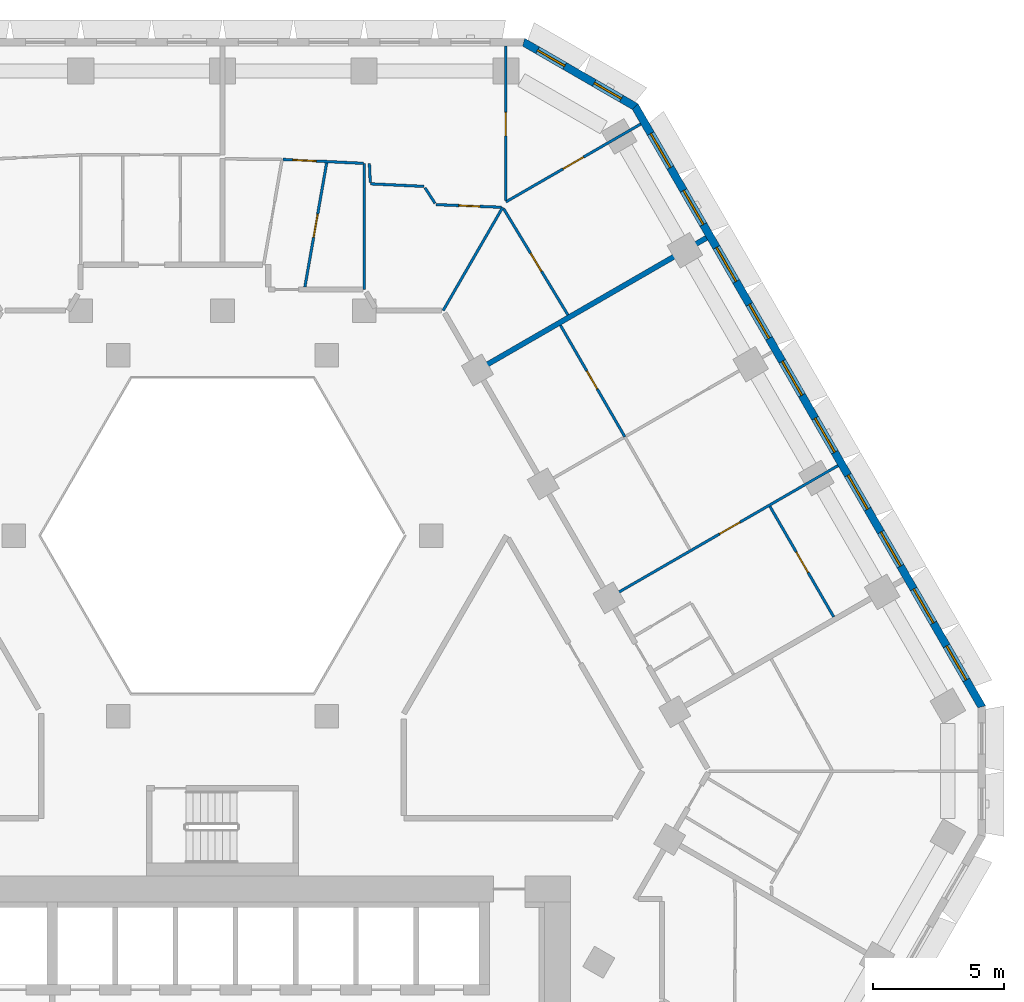
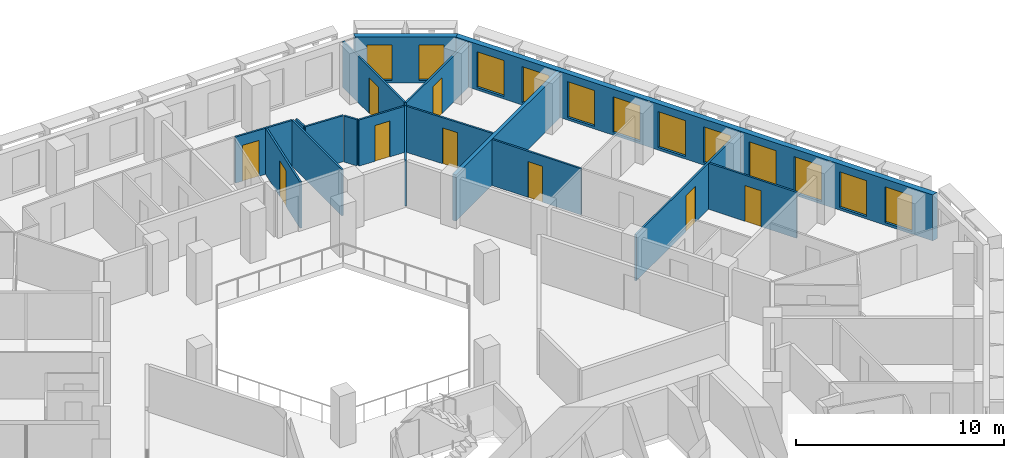
# One storey, part 10 of 18: 17 walls, 12 windows, 9 doors, 21 openings.
"""IFC4 building model written with IfcOpenShell, lengths in metres."""

from ifc_helpers import new_model, si_unit, direction, frame, frame_2d, origin, place, context, subcontext, project, spatial, polyline, rectangle, outline, extrude, material, layer, layer_set, type_object, element, fill, save


model = new_model("IFC4")

# Units and contexts
model_context = context("Model", 3, precision=1e-05, world=origin(), true_north=direction((0.0, 1.0)))
body_context = subcontext(model_context, "Body", "Model", "MODEL_VIEW")
ifc_project = project(units=[si_unit("LENGTHUNIT", "METRE"), si_unit("AREAUNIT", "SQUARE_METRE"), si_unit("VOLUMEUNIT", "CUBIC_METRE"), si_unit("PLANEANGLEUNIT", "RADIAN"), si_unit("MASSUNIT", "GRAM", prefix="KILO")], contexts=[model_context])

# Site, building, storey
site_placement = place(None, origin())
site = spatial("IfcSite", under=ifc_project, at=site_placement, CompositionType="ELEMENT")
building_placement = place(site_placement, origin())
building = spatial("IfcBuilding", under=site, at=building_placement, Name="Beryl Residences", CompositionType="ELEMENT")
storey_placement = place(building_placement, frame((0.0, 0.0, 75.0)))
storey = spatial("IfcBuildingStorey", under=building, at=storey_placement, Name="L22", CompositionType="ELEMENT", Elevation=75.0)

# Wall, openings, windows
ifc_material_1 = material(Name="Composite metal panel with mineral wool insulation")
ifc_layer_1 = layer(ifc_material_1, 0.300048828125)
ifc_layer_set_1 = layer_set([ifc_layer_1], Name="ES1 pale metal composite panel wall 300 mm")
wall_type_1 = type_object("IfcWallType", Name="ES1 pale metal composite panel wall 300 mm", PredefinedType="SOLIDWALL", material=ifc_layer_set_1)
wall_1_placement = place(storey_placement, frame((29.027099609375, 1.425048828125, 0.0), z_axis=(0.0, 0.0, 1.0), x_axis=(-0.500027479704, 0.866009537788, 0.0)))
wall_1 = element("IfcWall", 1, at=wall_1_placement, inside=storey, type_object=wall_type_1, Name="ES1 external wall L22 NE", PredefinedType="SOLIDWALL", context=body_context, shape_type="SweptSolid", body=[
    extrude(outline(polyline([(0.0, -0.14990234375), (26.55859375, -0.14990234375), (26.478271484375, 0.14990234375), (0.080322265625, 0.14990234375), (0.0, -0.14990234375)])), origin(), (0.0, 0.0, 1.0), 2.699951171875),
])
opening_1_placement = place(wall_1_placement, frame((1.22705078125, 0.0, 0.14990234375)))
opening_1 = element("IfcOpeningElement", 2, at=opening_1_placement, cuts=wall_1, Name="Opening W1", PredefinedType="OPENING", context=body_context, shape_type="SweptSolid", body=[
    extrude(rectangle(XDim=1.5, YDim=2.10009765625, at=frame_2d((0.75, 1.050048828125))), frame((0.0, 0.159912109375, 0.0), z_axis=(0.0, -1.0, 0.0), x_axis=(1.0, 0.0, 0.0)), (0.0, 0.0, 1.0), 0.320068359375),
])
opening_2_placement = place(wall_1_placement, frame((3.738037109375, 0.0, 0.14990234375)))
opening_2 = element("IfcOpeningElement", 3, at=opening_2_placement, cuts=wall_1, Name="Opening W1", PredefinedType="OPENING", context=body_context, shape_type="SweptSolid", body=[
    extrude(rectangle(XDim=1.5, YDim=2.10009765625, at=frame_2d((0.75, 1.050048828125))), frame((0.0, 0.159912109375, 0.0), z_axis=(0.0, -1.0, 0.0), x_axis=(1.0, 0.0, 0.0)), (0.0, 0.0, 1.0), 0.320068359375),
])
opening_3_placement = place(wall_1_placement, frame((6.25, 0.0, 0.14990234375)))
opening_3 = element("IfcOpeningElement", 4, at=opening_3_placement, cuts=wall_1, Name="Opening W1", PredefinedType="OPENING", context=body_context, shape_type="SweptSolid", body=[
    extrude(rectangle(XDim=1.5, YDim=2.10009765625, at=frame_2d((0.75, 1.050048828125))), frame((0.0, 0.159912109375, 0.0), z_axis=(0.0, -1.0, 0.0), x_axis=(1.0, 0.0, 0.0)), (0.0, 0.0, 1.0), 0.320068359375),
])
opening_4_placement = place(wall_1_placement, frame((8.760986328125, 0.0, 0.14990234375)))
opening_4 = element("IfcOpeningElement", 5, at=opening_4_placement, cuts=wall_1, Name="Opening W1", PredefinedType="OPENING", context=body_context, shape_type="SweptSolid", body=[
    extrude(rectangle(XDim=1.5, YDim=2.10009765625, at=frame_2d((0.75, 1.050048828125))), frame((0.0, 0.159912109375, 0.0), z_axis=(0.0, -1.0, 0.0), x_axis=(1.0, 0.0, 0.0)), (0.0, 0.0, 1.0), 0.320068359375),
])
opening_5_placement = place(wall_1_placement, frame((11.27294921875, 0.0, 0.14990234375)))
opening_5 = element("IfcOpeningElement", 6, at=opening_5_placement, cuts=wall_1, Name="Opening W1", PredefinedType="OPENING", context=body_context, shape_type="SweptSolid", body=[
    extrude(rectangle(XDim=1.5, YDim=2.10009765625, at=frame_2d((0.75, 1.050048828125))), frame((0.0, 0.159912109375, 0.0), z_axis=(0.0, -1.0, 0.0), x_axis=(1.0, 0.0, 0.0)), (0.0, 0.0, 1.0), 0.320068359375),
])
opening_6_placement = place(wall_1_placement, frame((13.784912109375, 0.0, 0.14990234375)))
opening_6 = element("IfcOpeningElement", 7, at=opening_6_placement, cuts=wall_1, Name="Opening W1", PredefinedType="OPENING", context=body_context, shape_type="SweptSolid", body=[
    extrude(rectangle(XDim=1.5, YDim=2.10009765625, at=frame_2d((0.75, 1.050048828125))), frame((0.0, 0.159912109375, 0.0), z_axis=(0.0, -1.0, 0.0), x_axis=(1.0, 0.0, 0.0)), (0.0, 0.0, 1.0), 0.320068359375),
])
opening_7_placement = place(wall_1_placement, frame((16.2958984375, 0.0, 0.14990234375)))
opening_7 = element("IfcOpeningElement", 8, at=opening_7_placement, cuts=wall_1, Name="Opening W1", PredefinedType="OPENING", context=body_context, shape_type="SweptSolid", body=[
    extrude(rectangle(XDim=1.5, YDim=2.10009765625, at=frame_2d((0.75, 1.050048828125))), frame((0.0, 0.159912109375, 0.0), z_axis=(0.0, -1.0, 0.0), x_axis=(1.0, 0.0, 0.0)), (0.0, 0.0, 1.0), 0.320068359375),
])
opening_8_placement = place(wall_1_placement, frame((18.806884765625, 0.0, 0.14990234375)))
opening_8 = element("IfcOpeningElement", 9, at=opening_8_placement, cuts=wall_1, Name="Opening W1", PredefinedType="OPENING", context=body_context, shape_type="SweptSolid", body=[
    extrude(rectangle(XDim=1.5, YDim=2.10009765625, at=frame_2d((0.75, 1.050048828125))), frame((0.0, 0.159912109375, 0.0), z_axis=(0.0, -1.0, 0.0), x_axis=(1.0, 0.0, 0.0)), (0.0, 0.0, 1.0), 0.320068359375),
])
opening_9_placement = place(wall_1_placement, frame((21.319091796875, 0.0, 0.14990234375)))
opening_9 = element("IfcOpeningElement", 10, at=opening_9_placement, cuts=wall_1, Name="Opening W1", PredefinedType="OPENING", context=body_context, shape_type="SweptSolid", body=[
    extrude(rectangle(XDim=1.5, YDim=2.10009765625, at=frame_2d((0.75, 1.050048828125))), frame((0.0, 0.159912109375, 0.0), z_axis=(0.0, -1.0, 0.0), x_axis=(1.0, 0.0, 0.0)), (0.0, 0.0, 1.0), 0.320068359375),
])
opening_10_placement = place(wall_1_placement, frame((23.8310546875, 0.0, 0.14990234375)))
opening_10 = element("IfcOpeningElement", 11, at=opening_10_placement, cuts=wall_1, Name="Opening W1", PredefinedType="OPENING", context=body_context, shape_type="SweptSolid", body=[
    extrude(rectangle(XDim=1.5, YDim=2.10009765625, at=frame_2d((0.75, 1.050048828125))), frame((0.0, 0.159912109375, 0.0), z_axis=(0.0, -1.0, 0.0), x_axis=(1.0, 0.0, 0.0)), (0.0, 0.0, 1.0), 0.320068359375),
])
ifc_material_2 = material(Name="Aluminium and clear glass", Category="aluminium")
window_type_1 = type_object("IfcWindowType", Name="W1 cell window 1500 x 2100 mm", PartitioningType="SINGLE_PANEL", PredefinedType="WINDOW", material=ifc_material_2)
window_1_placement = place(opening_1_placement, origin())
window_1 = element("IfcWindow", 12, at=window_1_placement, inside=storey, type_object=window_type_1, Name="W1 window L22 NE 1", OverallHeight=2.10009765625, OverallWidth=1.5, PartitioningType="SINGLE_PANEL", PredefinedType="WINDOW", context=body_context, shape_type="SweptSolid", body=[
    extrude(rectangle(XDim=1.5, YDim=2.10009765625, at=frame_2d((0.75, 1.050048828125))), frame((0.0, 0.030029296875, 0.0), z_axis=(0.0, -1.0, 0.0), x_axis=(1.0, 0.0, 0.0)), (0.0, 0.0, 1.0), 0.06005859375),
])
fill(opening_1, window_1)
window_2_placement = place(opening_2_placement, origin())
window_2 = element("IfcWindow", 13, at=window_2_placement, inside=storey, type_object=window_type_1, Name="W1 window L22 NE 2", OverallHeight=2.10009765625, OverallWidth=1.5, PartitioningType="SINGLE_PANEL", PredefinedType="WINDOW", context=body_context, shape_type="SweptSolid", body=[
    extrude(rectangle(XDim=1.5, YDim=2.10009765625, at=frame_2d((0.75, 1.050048828125))), frame((0.0, 0.030029296875, 0.0), z_axis=(0.0, -1.0, 0.0), x_axis=(1.0, 0.0, 0.0)), (0.0, 0.0, 1.0), 0.06005859375),
])
fill(opening_2, window_2)
window_3_placement = place(opening_3_placement, origin())
window_3 = element("IfcWindow", 14, at=window_3_placement, inside=storey, type_object=window_type_1, Name="W1 window L22 NE 3", OverallHeight=2.10009765625, OverallWidth=1.5, PartitioningType="SINGLE_PANEL", PredefinedType="WINDOW", context=body_context, shape_type="SweptSolid", body=[
    extrude(rectangle(XDim=1.5, YDim=2.10009765625, at=frame_2d((0.75, 1.050048828125))), frame((0.0, 0.030029296875, 0.0), z_axis=(0.0, -1.0, 0.0), x_axis=(1.0, 0.0, 0.0)), (0.0, 0.0, 1.0), 0.06005859375),
])
fill(opening_3, window_3)
window_4_placement = place(opening_4_placement, origin())
window_4 = element("IfcWindow", 15, at=window_4_placement, inside=storey, type_object=window_type_1, Name="W1 window L22 NE 4", OverallHeight=2.10009765625, OverallWidth=1.5, PartitioningType="SINGLE_PANEL", PredefinedType="WINDOW", context=body_context, shape_type="SweptSolid", body=[
    extrude(rectangle(XDim=1.5, YDim=2.10009765625, at=frame_2d((0.75, 1.050048828125))), frame((0.0, 0.030029296875, 0.0), z_axis=(0.0, -1.0, 0.0), x_axis=(1.0, 0.0, 0.0)), (0.0, 0.0, 1.0), 0.06005859375),
])
fill(opening_4, window_4)
window_5_placement = place(opening_5_placement, origin())
window_5 = element("IfcWindow", 16, at=window_5_placement, inside=storey, type_object=window_type_1, Name="W1 window L22 NE 5", OverallHeight=2.10009765625, OverallWidth=1.5, PartitioningType="SINGLE_PANEL", PredefinedType="WINDOW", context=body_context, shape_type="SweptSolid", body=[
    extrude(rectangle(XDim=1.5, YDim=2.10009765625, at=frame_2d((0.75, 1.050048828125))), frame((0.0, 0.030029296875, 0.0), z_axis=(0.0, -1.0, 0.0), x_axis=(1.0, 0.0, 0.0)), (0.0, 0.0, 1.0), 0.06005859375),
])
fill(opening_5, window_5)
window_6_placement = place(opening_6_placement, origin())
window_6 = element("IfcWindow", 17, at=window_6_placement, inside=storey, type_object=window_type_1, Name="W1 window L22 NE 6", OverallHeight=2.10009765625, OverallWidth=1.5, PartitioningType="SINGLE_PANEL", PredefinedType="WINDOW", context=body_context, shape_type="SweptSolid", body=[
    extrude(rectangle(XDim=1.5, YDim=2.10009765625, at=frame_2d((0.75, 1.050048828125))), frame((0.0, 0.030029296875, 0.0), z_axis=(0.0, -1.0, 0.0), x_axis=(1.0, 0.0, 0.0)), (0.0, 0.0, 1.0), 0.06005859375),
])
fill(opening_6, window_6)
window_7_placement = place(opening_7_placement, origin())
window_7 = element("IfcWindow", 18, at=window_7_placement, inside=storey, type_object=window_type_1, Name="W1 window L22 NE 7", OverallHeight=2.10009765625, OverallWidth=1.5, PartitioningType="SINGLE_PANEL", PredefinedType="WINDOW", context=body_context, shape_type="SweptSolid", body=[
    extrude(rectangle(XDim=1.5, YDim=2.10009765625, at=frame_2d((0.75, 1.050048828125))), frame((0.0, 0.030029296875, 0.0), z_axis=(0.0, -1.0, 0.0), x_axis=(1.0, 0.0, 0.0)), (0.0, 0.0, 1.0), 0.06005859375),
])
fill(opening_7, window_7)
window_8_placement = place(opening_8_placement, origin())
window_8 = element("IfcWindow", 19, at=window_8_placement, inside=storey, type_object=window_type_1, Name="W1 window L22 NE 8", OverallHeight=2.10009765625, OverallWidth=1.5, PartitioningType="SINGLE_PANEL", PredefinedType="WINDOW", context=body_context, shape_type="SweptSolid", body=[
    extrude(rectangle(XDim=1.5, YDim=2.10009765625, at=frame_2d((0.75, 1.050048828125))), frame((0.0, 0.030029296875, 0.0), z_axis=(0.0, -1.0, 0.0), x_axis=(1.0, 0.0, 0.0)), (0.0, 0.0, 1.0), 0.06005859375),
])
fill(opening_8, window_8)
window_9_placement = place(opening_9_placement, origin())
window_9 = element("IfcWindow", 20, at=window_9_placement, inside=storey, type_object=window_type_1, Name="W1 window L22 NE 9", OverallHeight=2.10009765625, OverallWidth=1.5, PartitioningType="SINGLE_PANEL", PredefinedType="WINDOW", context=body_context, shape_type="SweptSolid", body=[
    extrude(rectangle(XDim=1.5, YDim=2.10009765625, at=frame_2d((0.75, 1.050048828125))), frame((0.0, 0.030029296875, 0.0), z_axis=(0.0, -1.0, 0.0), x_axis=(1.0, 0.0, 0.0)), (0.0, 0.0, 1.0), 0.06005859375),
])
fill(opening_9, window_9)
window_10_placement = place(opening_10_placement, origin())
window_10 = element("IfcWindow", 21, at=window_10_placement, inside=storey, type_object=window_type_1, Name="W1 window L22 NE 10", OverallHeight=2.10009765625, OverallWidth=1.5, PartitioningType="SINGLE_PANEL", PredefinedType="WINDOW", context=body_context, shape_type="SweptSolid", body=[
    extrude(rectangle(XDim=1.5, YDim=2.10009765625, at=frame_2d((0.75, 1.050048828125))), frame((0.0, 0.030029296875, 0.0), z_axis=(0.0, -1.0, 0.0), x_axis=(1.0, 0.0, 0.0)), (0.0, 0.0, 1.0), 0.06005859375),
])
fill(opening_10, window_10)

wall_2_placement = place(storey_placement, frame((15.802001953125, 24.3701171875, 0.0), z_axis=(0.0, 0.0, 1.0), x_axis=(-0.866022959057, 0.500004234368, 0.0)))
wall_2 = element("IfcWall", 22, at=wall_2_placement, inside=storey, type_object=wall_type_1, Name="ES1 external wall L22 NE-N", PredefinedType="SOLIDWALL", context=body_context, shape_type="SweptSolid", body=[
    extrude(outline(polyline([(0.0, -0.14990234375), (5.0, -0.14990234375), (4.919677734375, 0.14990234375), (0.080322265625, 0.14990234375), (0.0, -0.14990234375)])), origin(), (0.0, 0.0, 1.0), 2.699951171875),
])
opening_11_placement = place(wall_2_placement, frame((0.64990234375, 0.0, 0.14990234375)))
opening_11 = element("IfcOpeningElement", 23, at=opening_11_placement, cuts=wall_2, Name="Opening W2", PredefinedType="OPENING", context=body_context, shape_type="SweptSolid", body=[
    extrude(rectangle(XDim=1.199951171875, YDim=2.10009765625, at=frame_2d((0.60009765625, 1.050048828125))), frame((0.0, 0.159912109375, 0.0), z_axis=(0.0, -1.0, 0.0), x_axis=(1.0, 0.0, 0.0)), (0.0, 0.0, 1.0), 0.320068359375),
])
opening_12_placement = place(wall_2_placement, frame((3.14990234375, 0.0, 0.14990234375)))
opening_12 = element("IfcOpeningElement", 24, at=opening_12_placement, cuts=wall_2, Name="Opening W2", PredefinedType="OPENING", context=body_context, shape_type="SweptSolid", body=[
    extrude(rectangle(XDim=1.199951171875, YDim=2.10009765625, at=frame_2d((0.60009765625, 1.050048828125))), frame((0.0, 0.159912109375, 0.0), z_axis=(0.0, -1.0, 0.0), x_axis=(1.0, 0.0, 0.0)), (0.0, 0.0, 1.0), 0.320068359375),
])
ifc_material_3 = material(Name="Aluminium and clear glass", Category="aluminium")
window_type_2 = type_object("IfcWindowType", Name="W2 chamfer window 1200 x 2100 mm", PartitioningType="SINGLE_PANEL", PredefinedType="WINDOW", material=ifc_material_3)
window_11_placement = place(opening_11_placement, origin())
window_11 = element("IfcWindow", 25, at=window_11_placement, inside=storey, type_object=window_type_2, Name="W2 window L22 NE-N 1", OverallHeight=2.10009765625, OverallWidth=1.199951171875, PartitioningType="SINGLE_PANEL", PredefinedType="WINDOW", context=body_context, shape_type="SweptSolid", body=[
    extrude(rectangle(XDim=1.199951171875, YDim=2.10009765625, at=frame_2d((0.60009765625, 1.050048828125))), frame((0.0, 0.030029296875, 0.0), z_axis=(0.0, -1.0, 0.0), x_axis=(1.0, 0.0, 0.0)), (0.0, 0.0, 1.0), 0.06005859375),
])
fill(opening_11, window_11)
window_12_placement = place(opening_12_placement, origin())
window_12 = element("IfcWindow", 26, at=window_12_placement, inside=storey, type_object=window_type_2, Name="W2 window L22 NE-N 2", OverallHeight=2.10009765625, OverallWidth=1.199951171875, PartitioningType="SINGLE_PANEL", PredefinedType="WINDOW", context=body_context, shape_type="SweptSolid", body=[
    extrude(rectangle(XDim=1.199951171875, YDim=2.10009765625, at=frame_2d((0.60009765625, 1.050048828125))), frame((0.0, 0.030029296875, 0.0), z_axis=(0.0, -1.0, 0.0), x_axis=(1.0, 0.0, 0.0)), (0.0, 0.0, 1.0), 0.06005859375),
])
fill(opening_12, window_12)

# Wall
ifc_material_4 = material(Name="Gypsum board partition on steel studs", Category="steel")
ifc_layer_2 = layer(ifc_material_4, 0.10009765625)
ifc_layer_set_2 = layer_set([ifc_layer_2], Name="PT1 partition 100 mm gypsum board on steel studs")
wall_type_2 = type_object("IfcWallType", Name="PT1 partition 100 mm gypsum board on steel studs", PredefinedType="PARTITIONING", material=ifc_layer_set_2)
wall_3_placement = place(storey_placement, frame((7.737060546875, 21.291015625, 0.0), z_axis=(0.0, 0.0, 1.0), x_axis=(0.540389876456, -0.841414749944, 0.0)))
element("IfcWall", 27, at=wall_3_placement, inside=storey, type_object=wall_type_2, Name="Wall PT1 L22 002", PredefinedType="PARTITIONING", context=body_context, shape_type="SweptSolid", body=[
    extrude(rectangle(XDim=0.704833984375, YDim=0.10009765625, at=frame_2d((0.3525390625, 0.0))), origin(), (0.0, 0.0, 1.0), 2.699951171875),
])

# Wall, opening, door
wall_4_placement = place(storey_placement, frame((10.738037109375, 20.491943359375, 0.0), z_axis=(0.0, 0.0, 1.0), x_axis=(0.518100976056, -0.855319459974, 0.0)))
wall_4 = element("IfcWall", 28, at=wall_4_placement, inside=storey, type_object=wall_type_2, Name="Wall PT1 L22 003", PredefinedType="PARTITIONING", context=body_context, shape_type="SweptSolid", body=[
    extrude(rectangle(XDim=4.744384765625, YDim=0.10009765625, at=frame_2d((2.3720703125, 0.0))), origin(), (0.0, 0.0, 1.0), 2.699951171875),
])
opening_13_placement = place(wall_4_placement, frame((1.991943359375, 0.0, 0.0)))
opening_13 = element("IfcOpeningElement", 29, at=opening_13_placement, cuts=wall_4, Name="Opening D0665", PredefinedType="OPENING", context=body_context, shape_type="SweptSolid", body=[
    extrude(rectangle(XDim=0.800048828125, YDim=2.10009765625, at=frame_2d((0.39990234375, 1.050048828125))), frame((0.0, 0.06005859375, 0.0), z_axis=(0.0, -1.0, 0.0), x_axis=(1.0, 0.0, 0.0)), (0.0, 0.0, 1.0), 0.1201171875),
])
ifc_material_5 = material(Name="Timber door leaf", Category="wood")
door_type_1 = type_object("IfcDoorType", Name="D3 bathroom door 800 x 2100 mm", OperationType="SINGLE_SWING_LEFT", PredefinedType="DOOR", material=ifc_material_5)
door_1_placement = place(opening_13_placement, origin())
door_1 = element("IfcDoor", 30, at=door_1_placement, inside=storey, type_object=door_type_1, Name="Door D0665 L22 001", OperationType="SINGLE_SWING_LEFT", OverallHeight=2.10009765625, OverallWidth=0.800048828125, PredefinedType="DOOR", context=body_context, shape_type="SweptSolid", body=[
    extrude(rectangle(XDim=0.800048828125, YDim=2.10009765625, at=frame_2d((0.39990234375, 1.050048828125))), frame((0.0, 0.02490234375, 0.0), z_axis=(0.0, -1.0, 0.0), x_axis=(1.0, 0.0, 0.0)), (0.0, 0.0, 1.0), 0.050048828125),
])
fill(opening_13, door_1)

wall_5_placement = place(storey_placement, frame((12.910888671875, 16.0380859375, 0.0), z_axis=(0.0, 0.0, 1.0), x_axis=(0.499974319101, -0.866040230151, 0.0)))
wall_5 = element("IfcWall", 31, at=wall_5_placement, inside=storey, type_object=wall_type_2, Name="Wall PT1 L22 006", PredefinedType="PARTITIONING", context=body_context, shape_type="SweptSolid", body=[
    extrude(rectangle(XDim=4.922607421875, YDim=0.10009765625, at=frame_2d((2.46142578125, 0.0))), origin(), (0.0, 0.0, 1.0), 2.699951171875),
])
opening_14_placement = place(wall_5_placement, frame((2.011962890625, 0.0, 0.0)))
opening_14 = element("IfcOpeningElement", 32, at=opening_14_placement, cuts=wall_5, Name="Opening D0657", PredefinedType="OPENING", context=body_context, shape_type="SweptSolid", body=[
    extrude(rectangle(XDim=0.800048828125, YDim=2.10009765625, at=frame_2d((0.39990234375, 1.050048828125))), frame((0.0, 0.06005859375, 0.0), z_axis=(0.0, -1.0, 0.0), x_axis=(1.0, 0.0, 0.0)), (0.0, 0.0, 1.0), 0.1201171875),
])
door_2_placement = place(opening_14_placement, origin())
door_2 = element("IfcDoor", 33, at=door_2_placement, inside=storey, type_object=door_type_1, Name="Door D0657 L22 001", OperationType="SINGLE_SWING_LEFT", OverallHeight=2.10009765625, OverallWidth=0.800048828125, PredefinedType="DOOR", context=body_context, shape_type="SweptSolid", body=[
    extrude(rectangle(XDim=0.800048828125, YDim=2.10009765625, at=frame_2d((0.39990234375, 1.050048828125))), frame((0.0, 0.02490234375, 0.0), z_axis=(0.0, -1.0, 0.0), x_axis=(1.0, 0.0, 0.0)), (0.0, 0.0, 1.0), 0.050048828125),
])
fill(opening_14, door_2)

wall_6_placement = place(storey_placement, frame((20.9140625, 9.116943359375, 0.0), z_axis=(0.0, 0.0, 1.0), x_axis=(0.500007182864, -0.866021256716, 0.0)))
wall_6 = element("IfcWall", 34, at=wall_6_placement, inside=storey, type_object=wall_type_2, Name="Wall PT1 L22 007", PredefinedType="PARTITIONING", context=body_context, shape_type="SweptSolid", body=[
    extrude(rectangle(XDim=4.8740234375, YDim=0.10009765625, at=frame_2d((2.43701171875, 0.0))), origin(), (0.0, 0.0, 1.0), 2.699951171875),
])
opening_15_placement = place(wall_6_placement, frame((2.011962890625, 0.0, 0.0)))
opening_15 = element("IfcOpeningElement", 35, at=opening_15_placement, cuts=wall_6, Name="Opening D0653", PredefinedType="OPENING", context=body_context, shape_type="SweptSolid", body=[
    extrude(rectangle(XDim=0.89990234375, YDim=2.10009765625, at=frame_2d((0.449951171875, 1.050048828125))), frame((0.0, 0.06005859375, 0.0), z_axis=(0.0, -1.0, 0.0), x_axis=(1.0, 0.0, 0.0)), (0.0, 0.0, 1.0), 0.1201171875),
])
ifc_material_6 = material(Name="Timber door leaf", Category="wood")
door_type_2 = type_object("IfcDoorType", Name="D2 room door 900 x 2100 mm", OperationType="SINGLE_SWING_LEFT", PredefinedType="DOOR", material=ifc_material_6)
door_3_placement = place(opening_15_placement, origin())
door_3 = element("IfcDoor", 36, at=door_3_placement, inside=storey, type_object=door_type_2, Name="Door D0653 L22 001", OperationType="SINGLE_SWING_LEFT", OverallHeight=2.10009765625, OverallWidth=0.89990234375, PredefinedType="DOOR", context=body_context, shape_type="SweptSolid", body=[
    extrude(rectangle(XDim=0.89990234375, YDim=2.10009765625, at=frame_2d((0.449951171875, 1.050048828125))), frame((0.0, 0.02490234375, 0.0), z_axis=(0.0, -1.0, 0.0), x_axis=(1.0, 0.0, 0.0)), (0.0, 0.0, 1.0), 0.050048828125),
])
fill(opening_15, door_3)

# Wall
wall_7_placement = place(storey_placement, frame((5.611083984375, 22.2119140625, 0.0), z_axis=(0.0, 0.0, 1.0), x_axis=(0.048368650834, -0.998829551834, 0.0)))
element("IfcWall", 37, at=wall_7_placement, inside=storey, type_object=wall_type_2, Name="Wall PT1 L22 011", PredefinedType="PARTITIONING", context=body_context, shape_type="SweptSolid", body=[
    extrude(rectangle(XDim=0.7216796875, YDim=0.10009765625, at=frame_2d((0.36083984375, 0.0))), origin(), (0.0, 0.0, 1.0), 2.699951171875),
])

# Wall, opening, door
wall_8_placement = place(storey_placement, frame((8.15087890625, 20.64697265625, 0.0), z_axis=(0.0, 0.0, 1.0), x_axis=(0.999167241152, -0.040802257405, 0.0)))
wall_8 = element("IfcWall", 38, at=wall_8_placement, inside=storey, type_object=wall_type_2, Name="Wall PT1 L22 020", PredefinedType="PARTITIONING", context=body_context, shape_type="SweptSolid", body=[
    extrude(rectangle(XDim=2.501220703125, YDim=0.10009765625, at=frame_2d((1.25048828125, 0.0))), origin(), (0.0, 0.0, 1.0), 2.699951171875),
])
opening_16_placement = place(wall_8_placement, frame((0.87890625, 0.0, 0.0)))
opening_16 = element("IfcOpeningElement", 39, at=opening_16_placement, cuts=wall_8, Name="Opening D0663", PredefinedType="OPENING", context=body_context, shape_type="SweptSolid", body=[
    extrude(rectangle(XDim=0.800048828125, YDim=2.10009765625, at=frame_2d((0.39990234375, 1.050048828125))), frame((0.0, 0.06005859375, 0.0), z_axis=(0.0, -1.0, 0.0), x_axis=(1.0, 0.0, 0.0)), (0.0, 0.0, 1.0), 0.1201171875),
])
door_4_placement = place(opening_16_placement, origin())
door_4 = element("IfcDoor", 40, at=door_4_placement, inside=storey, type_object=door_type_1, Name="Door D0663 L22 001", OperationType="SINGLE_SWING_LEFT", OverallHeight=2.10009765625, OverallWidth=0.800048828125, PredefinedType="DOOR", context=body_context, shape_type="SweptSolid", body=[
    extrude(rectangle(XDim=0.800048828125, YDim=2.10009765625, at=frame_2d((0.39990234375, 1.050048828125))), frame((0.0, 0.02490234375, 0.0), z_axis=(0.0, -1.0, 0.0), x_axis=(1.0, 0.0, 0.0)), (0.0, 0.0, 1.0), 0.050048828125),
])
fill(opening_16, door_4)

# Wall
wall_9_placement = place(storey_placement, frame((5.64892578125, 21.44091796875, 0.0), z_axis=(0.0, 0.0, 1.0), x_axis=(0.998867332207, -0.047582062273, 0.0)))
element("IfcWall", 41, at=wall_9_placement, inside=storey, type_object=wall_type_2, Name="Wall PT1 L22 021", PredefinedType="PARTITIONING", context=body_context, shape_type="SweptSolid", body=[
    extrude(rectangle(XDim=2.0576171875, YDim=0.10009765625, at=frame_2d((1.02880859375, 0.0))), origin(), (0.0, 0.0, 1.0), 2.699951171875),
])

# Wall, opening, door
wall_10_placement = place(storey_placement, frame((2.306884765625, 22.3740234375, 0.0), z_axis=(0.0, 0.0, 1.0), x_axis=(0.998794685853, -0.049083352695, 0.0)))
wall_10 = element("IfcWall", 42, at=wall_10_placement, inside=storey, type_object=wall_type_2, Name="Wall PT1 L22 022", PredefinedType="PARTITIONING", context=body_context, shape_type="SweptSolid", body=[
    extrude(rectangle(XDim=3.078857421875, YDim=0.10009765625, at=frame_2d((1.53955078125, 0.0))), origin(), (0.0, 0.0, 1.0), 2.699951171875),
])
opening_17_placement = place(wall_10_placement, frame((0.3759765625, 0.0, 0.0)))
opening_17 = element("IfcOpeningElement", 43, at=opening_17_placement, cuts=wall_10, Name="Opening D0661", PredefinedType="OPENING", context=body_context, shape_type="SweptSolid", body=[
    extrude(rectangle(XDim=0.89990234375, YDim=2.10009765625, at=frame_2d((0.449951171875, 1.050048828125))), frame((0.0, 0.06005859375, 0.0), z_axis=(0.0, -1.0, 0.0), x_axis=(1.0, 0.0, 0.0)), (0.0, 0.0, 1.0), 0.1201171875),
])
door_5_placement = place(opening_17_placement, origin())
door_5 = element("IfcDoor", 44, at=door_5_placement, inside=storey, type_object=door_type_2, Name="Door D0661 L22 001", OperationType="SINGLE_SWING_LEFT", OverallHeight=2.10009765625, OverallWidth=0.89990234375, PredefinedType="DOOR", context=body_context, shape_type="SweptSolid", body=[
    extrude(rectangle(XDim=0.89990234375, YDim=2.10009765625, at=frame_2d((0.449951171875, 1.050048828125))), frame((0.0, 0.02490234375, 0.0), z_axis=(0.0, -1.0, 0.0), x_axis=(1.0, 0.0, 0.0)), (0.0, 0.0, 1.0), 0.050048828125),
])
fill(opening_17, door_5)

# Wall
wall_11_placement = place(storey_placement, frame((8.429931640625, 16.60009765625, 0.0), z_axis=(0.0, 0.0, 1.0), x_axis=(0.499951460778, 0.866053426104, 0.0)))
element("IfcWall", 45, at=wall_11_placement, inside=storey, type_object=wall_type_2, Name="Wall PT1 L22 041", PredefinedType="PARTITIONING", context=body_context, shape_type="SweptSolid", body=[
    extrude(rectangle(XDim=4.552734375, YDim=0.10009765625, at=frame_2d((2.2763671875, 0.0))), origin(), (0.0, 0.0, 1.0), 2.699951171875),
])

# Wall, opening, door
wall_12_placement = place(storey_placement, frame((3.14794921875, 17.5, 0.0), z_axis=(0.0, 0.0, 1.0), x_axis=(0.172821918451, 0.984953087463, 0.0)))
wall_12 = element("IfcWall", 46, at=wall_12_placement, inside=storey, type_object=wall_type_2, Name="Wall PT1 L22 049", PredefinedType="PARTITIONING", context=body_context, shape_type="SweptSolid", body=[
    extrude(rectangle(XDim=4.814453125, YDim=0.10009765625, at=frame_2d((2.4072265625, 0.0))), origin(), (0.0, 0.0, 1.0), 2.699951171875),
])
opening_18_placement = place(wall_12_placement, frame((1.931884765625, 0.0, 0.0)))
opening_18 = element("IfcOpeningElement", 47, at=opening_18_placement, cuts=wall_12, Name="Opening D0659", PredefinedType="OPENING", context=body_context, shape_type="SweptSolid", body=[
    extrude(rectangle(XDim=0.89990234375, YDim=2.10009765625, at=frame_2d((0.449951171875, 1.050048828125))), frame((0.0, 0.06005859375, 0.0), z_axis=(0.0, -1.0, 0.0), x_axis=(1.0, 0.0, 0.0)), (0.0, 0.0, 1.0), 0.1201171875),
])
door_6_placement = place(opening_18_placement, origin())
door_6 = element("IfcDoor", 48, at=door_6_placement, inside=storey, type_object=door_type_2, Name="Door D0659 L22 001", OperationType="SINGLE_SWING_LEFT", OverallHeight=2.10009765625, OverallWidth=0.89990234375, PredefinedType="DOOR", context=body_context, shape_type="SweptSolid", body=[
    extrude(rectangle(XDim=0.89990234375, YDim=2.10009765625, at=frame_2d((0.449951171875, 1.050048828125))), frame((0.0, 0.02490234375, 0.0), z_axis=(0.0, -1.0, 0.0), x_axis=(1.0, 0.0, 0.0)), (0.0, 0.0, 1.0), 0.050048828125),
])
fill(opening_18, door_6)

# Wall
wall_13_placement = place(storey_placement, frame((5.412109375, 17.39990234375, 0.0), z_axis=(0.0, 0.0, 1.0), x_axis=(0.0, 1.0, 0.0)))
element("IfcWall", 49, at=wall_13_placement, inside=storey, type_object=wall_type_2, Name="Wall PT1 L22 055", PredefinedType="PARTITIONING", context=body_context, shape_type="SweptSolid", body=[
    extrude(rectangle(XDim=4.822021484375, YDim=0.10009765625, at=frame_2d((2.4111328125, 0.0))), origin(), (0.0, 0.0, 1.0), 2.699951171875),
])

# Wall, opening, door
wall_14_placement = place(storey_placement, frame((10.824951171875, 20.805908203125, 0.0), z_axis=(0.0, 0.0, 1.0), x_axis=(0.0, 1.0, 0.0)))
wall_14 = element("IfcWall", 50, at=wall_14_placement, inside=storey, type_object=wall_type_2, Name="Wall PT1 L22 058", PredefinedType="PARTITIONING", context=body_context, shape_type="SweptSolid", body=[
    extrude(rectangle(XDim=5.89404296875, YDim=0.10009765625, at=frame_2d((2.947021484375, 0.0))), origin(), (0.0, 0.0, 1.0), 2.699951171875),
])
opening_19_placement = place(wall_14_placement, frame((2.468017578125, 0.0, 0.0)))
opening_19 = element("IfcOpeningElement", 51, at=opening_19_placement, cuts=wall_14, Name="Opening D0662", PredefinedType="OPENING", context=body_context, shape_type="SweptSolid", body=[
    extrude(rectangle(XDim=0.89990234375, YDim=2.10009765625, at=frame_2d((0.449951171875, 1.050048828125))), frame((0.0, 0.06005859375, 0.0), z_axis=(0.0, -1.0, 0.0), x_axis=(1.0, 0.0, 0.0)), (0.0, 0.0, 1.0), 0.1201171875),
])
door_7_placement = place(opening_19_placement, origin())
door_7 = element("IfcDoor", 52, at=door_7_placement, inside=storey, type_object=door_type_2, Name="Door D0662 L22 001", OperationType="SINGLE_SWING_RIGHT", OverallHeight=2.10009765625, OverallWidth=0.89990234375, PredefinedType="DOOR", context=body_context, shape_type="SweptSolid", body=[
    extrude(rectangle(XDim=0.89990234375, YDim=2.10009765625, at=frame_2d((0.449951171875, 1.050048828125))), frame((0.0, 0.02490234375, 0.0), z_axis=(0.0, -1.0, 0.0), x_axis=(1.0, 0.0, 0.0)), (0.0, 0.0, 1.0), 0.050048828125),
])
fill(opening_19, door_7)

wall_15_placement = place(storey_placement, frame((14.85302734375, 5.675048828125, 0.0), z_axis=(0.0, 0.0, 1.0), x_axis=(0.866016855193, 0.500014806302, 0.0)))
wall_15 = element("IfcWall", 53, at=wall_15_placement, inside=storey, type_object=wall_type_2, Name="Wall PT1 L22 070", PredefinedType="PARTITIONING", context=body_context, shape_type="SweptSolid", body=[
    extrude(rectangle(XDim=9.999755859375, YDim=0.10009765625, at=frame_2d((5.0, 0.0))), origin(), (0.0, 0.0, 1.0), 2.699951171875),
])
opening_20_placement = place(wall_15_placement, frame((4.77490234375, 0.0, 0.0)))
opening_20 = element("IfcOpeningElement", 54, at=opening_20_placement, cuts=wall_15, Name="Opening D0654", PredefinedType="OPENING", context=body_context, shape_type="SweptSolid", body=[
    extrude(rectangle(XDim=0.89990234375, YDim=2.10009765625, at=frame_2d((0.449951171875, 1.050048828125))), frame((0.0, 0.06005859375, 0.0), z_axis=(0.0, -1.0, 0.0), x_axis=(1.0, 0.0, 0.0)), (0.0, 0.0, 1.0), 0.1201171875),
])
door_8_placement = place(opening_20_placement, origin())
door_8 = element("IfcDoor", 55, at=door_8_placement, inside=storey, type_object=door_type_2, Name="Door D0654 L22 001", OperationType="SINGLE_SWING_RIGHT", OverallHeight=2.10009765625, OverallWidth=0.89990234375, PredefinedType="DOOR", context=body_context, shape_type="SweptSolid", body=[
    extrude(rectangle(XDim=0.89990234375, YDim=2.10009765625, at=frame_2d((0.449951171875, 1.050048828125))), frame((0.0, 0.02490234375, 0.0), z_axis=(0.0, -1.0, 0.0), x_axis=(1.0, 0.0, 0.0)), (0.0, 0.0, 1.0), 0.050048828125),
])
fill(opening_20, door_8)

wall_16_placement = place(storey_placement, frame((10.825927734375, 20.75, 0.0), z_axis=(0.0, 0.0, 1.0), x_axis=(0.865986712877, 0.50006700863, 0.0)))
wall_16 = element("IfcWall", 56, at=wall_16_placement, inside=storey, type_object=wall_type_2, Name="Wall PT1 L22 074", PredefinedType="PARTITIONING", context=body_context, shape_type="SweptSolid", body=[
    extrude(rectangle(XDim=5.949462890625, YDim=0.10009765625, at=frame_2d((2.974609375, 0.0))), origin(), (0.0, 0.0, 1.0), 2.699951171875),
])
opening_21_placement = place(wall_16_placement, frame((2.52392578125, 0.0, 0.0)))
opening_21 = element("IfcOpeningElement", 57, at=opening_21_placement, cuts=wall_16, Name="Opening D0664", PredefinedType="OPENING", context=body_context, shape_type="SweptSolid", body=[
    extrude(rectangle(XDim=0.89990234375, YDim=2.10009765625, at=frame_2d((0.449951171875, 1.050048828125))), frame((0.0, 0.06005859375, 0.0), z_axis=(0.0, -1.0, 0.0), x_axis=(1.0, 0.0, 0.0)), (0.0, 0.0, 1.0), 0.1201171875),
])
door_9_placement = place(opening_21_placement, origin())
door_9 = element("IfcDoor", 58, at=door_9_placement, inside=storey, type_object=door_type_2, Name="Door D0664 L22 001", OperationType="SINGLE_SWING_RIGHT", OverallHeight=2.10009765625, OverallWidth=0.89990234375, PredefinedType="DOOR", context=body_context, shape_type="SweptSolid", body=[
    extrude(rectangle(XDim=0.89990234375, YDim=2.10009765625, at=frame_2d((0.449951171875, 1.050048828125))), frame((0.0, 0.02490234375, 0.0), z_axis=(0.0, -1.0, 0.0), x_axis=(1.0, 0.0, 0.0)), (0.0, 0.0, 1.0), 0.050048828125),
])
fill(opening_21, door_9)

# Wall
ifc_material_7 = material(Name="Acoustic double stud gypsum board wall")
ifc_layer_3 = layer(ifc_material_7, 0.199951171875)
ifc_layer_set_3 = layer_set([ifc_layer_3], Name="PT3 party wall 200 mm acoustic double stud")
wall_type_3 = type_object("IfcWallType", Name="PT3 party wall 200 mm acoustic double stud", PredefinedType="PARTITIONING", material=ifc_layer_set_3)
wall_17_placement = place(storey_placement, frame((9.830078125, 14.375, 0.0), z_axis=(0.0, 0.0, 1.0), x_axis=(0.866016855193, 0.500014806302, 0.0)))
element("IfcWall", 59, at=wall_17_placement, inside=storey, type_object=wall_type_3, Name="Wall PT3 L22 012", PredefinedType="PARTITIONING", context=body_context, shape_type="SweptSolid", body=[
    extrude(rectangle(XDim=9.999755859375, YDim=0.199951171875, at=frame_2d((5.0, 0.0))), origin(), (0.0, 0.0, 1.0), 2.699951171875),
])

save(model, "model.ifc")
